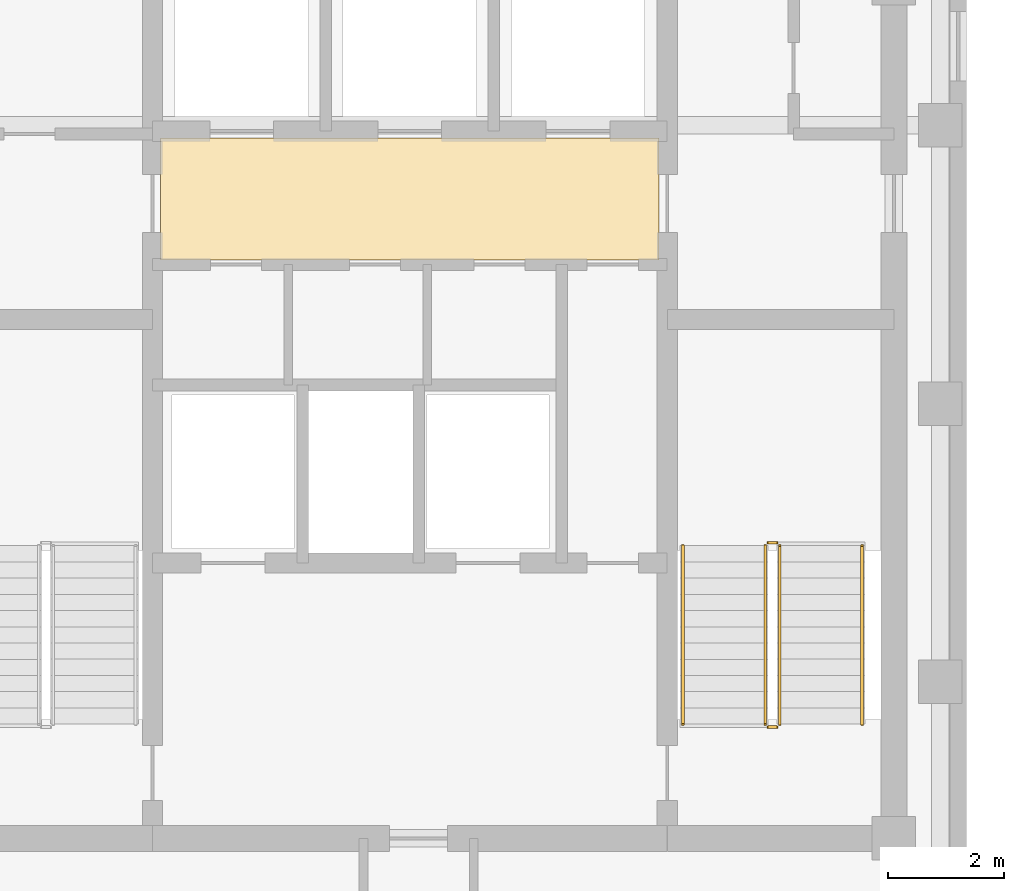
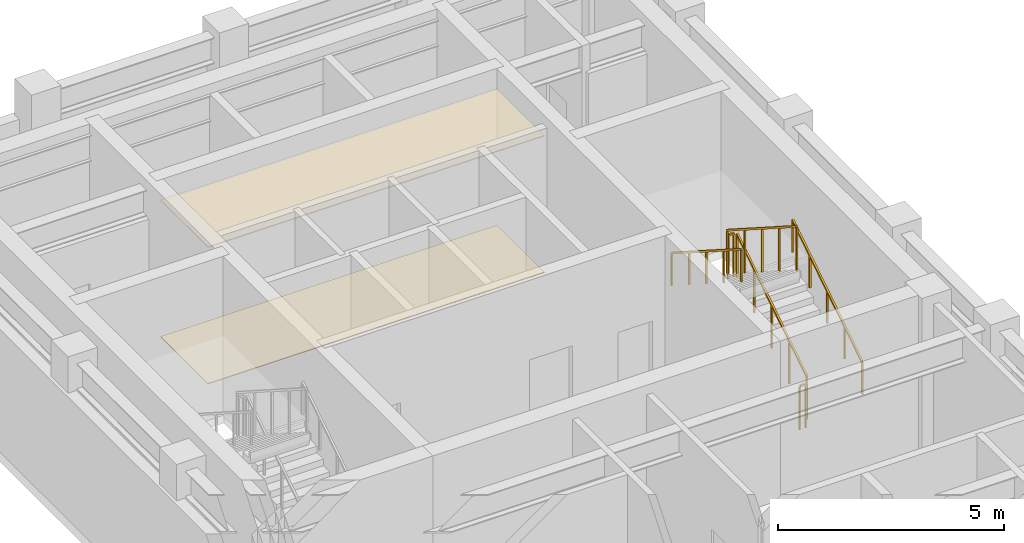
# One storey, part 7 of 7: 6 railings, 2 coverings.
"""IFC4 building model written with IfcOpenShell, lengths in metres."""

from ifc_helpers import new_model, si_unit, direction, frame, origin, origin_2d, place, context, subcontext, project, spatial, polyline, rectangle, outline, extrude, material, layer, layer_set, type_object, element, save


model = new_model("IFC4")

# Units and contexts
model_context = context("Model", 3, precision=1e-05, world=origin(), true_north=direction((0.0, 1.0)))
body_context = subcontext(model_context, "Body", "Model", "MODEL_VIEW")
ifc_project = project(units=[si_unit("LENGTHUNIT", "METRE"), si_unit("AREAUNIT", "SQUARE_METRE"), si_unit("VOLUMEUNIT", "CUBIC_METRE"), si_unit("PLANEANGLEUNIT", "RADIAN"), si_unit("MASSUNIT", "GRAM", prefix="KILO")], contexts=[model_context])

# Site, building, storey
site_placement = place(None, origin())
site = spatial("IfcSite", under=ifc_project, at=site_placement, CompositionType="ELEMENT")
building_placement = place(site_placement, origin())
building = spatial("IfcBuilding", under=site, at=building_placement, Name="Orvandelia Arch Residences", CompositionType="ELEMENT")
storey_placement = place(building_placement, frame((0.0, 0.0, 269.89990234375)))
storey = spatial("IfcBuildingStorey", under=building, at=storey_placement, Name="L70", CompositionType="ELEMENT", Elevation=269.89990234375)

# Coverings
ifc_material_1 = material(Name="Perforated Acoustic Mineral-Fibre Ceiling")
ifc_layer_1 = layer(ifc_material_1, 0.02490234375, Name="Perforated Acoustic Mineral-Fibre Ceiling")
ifc_layer_set_1 = layer_set([ifc_layer_1], Name="Perforated Acoustic Mineral-Fibre Ceiling")
covering_type_1 = type_object("IfcCoveringType", Name="COV-CEIL-ACOUSTIC", PredefinedType="CEILING", material=ifc_layer_set_1)
covering_1_placement = place(storey_placement, frame((0.0, 0.0, 3.690185546875)))
element("IfcCovering", 1, at=covering_1_placement, inside=storey, type_object=covering_type_1, Name="Lift Hall Suspended Acoustic Ceiling L70", PredefinedType="CEILING", context=body_context, shape_type="SweptSolid", body=[
    extrude(outline(polyline([(10.10009765625, 40.8798828125), (18.699951171875, 40.8798828125), (18.699951171875, 42.97998046875), (10.10009765625, 42.97998046875), (10.10009765625, 40.8798828125)])), origin(), (0.0, 0.0, 1.0), 0.02490234375),
])
ifc_material_2 = material(Name="Engineered Oak Flooring")
ifc_layer_2 = layer(ifc_material_2, 0.02001953125, Name="Engineered Oak Flooring")
ifc_layer_set_2 = layer_set([ifc_layer_2], Name="Engineered Oak Flooring")
covering_type_2 = type_object("IfcCoveringType", Name="COV-FLOOR-TIMBER", PredefinedType="FLOORING", material=ifc_layer_set_2)
covering_2_placement = place(storey_placement, origin())
element("IfcCovering", 2, at=covering_2_placement, inside=storey, type_object=covering_type_2, Name="Lift Hall Finish Flooring L70", PredefinedType="FLOORING", context=body_context, shape_type="SweptSolid", body=[
    extrude(outline(polyline([(10.10009765625, 40.8798828125), (18.699951171875, 40.8798828125), (18.699951171875, 42.97998046875), (10.10009765625, 42.97998046875), (10.10009765625, 40.8798828125)])), origin(), (0.0, 0.0, 1.0), 0.02001953125),
])

# Railings
ifc_material_3 = material(Name="Brushed Stainless Steel 304", Category="steel")
railing_type_1 = type_object("IfcRailingType", Name="RL-STAIR-GD1120", PredefinedType="GUARDRAIL", material=ifc_material_3)
railing_1_placement = place(storey_placement, frame((20.780029296875, 32.8701171875, 0.17919921875)))
element("IfcRailing", 3, at=railing_1_placement, inside=storey, type_object=railing_type_1, Name="L70 ST-2 stair guard 1", PredefinedType="GUARDRAIL", context=body_context, shape_type="SweptSolid", body=[
    extrude(rectangle(XDim=0.048095703125, YDim=0.048095703125, at=origin_2d()), frame((0.0, 0.0, 1.17578125), z_axis=(0.0, 0.842289589211, 0.539025275759), x_axis=(-1.0, 0.0, 0.0)), (0.0, 0.0, 1.0), 3.656494140625),
    extrude(rectangle(XDim=0.0419921875, YDim=0.0419921875, at=origin_2d()), origin(), (0.0, 0.0, 1.0), 1.15185546875),
    extrude(rectangle(XDim=0.0419921875, YDim=0.0419921875, at=origin_2d()), frame((0.0, 0.77001953125, 0.49267578125)), (0.0, 0.0, 1.0), 1.15185546875),
    extrude(rectangle(XDim=0.0419921875, YDim=0.0419921875, at=origin_2d()), frame((0.0, 1.5400390625, 0.9853515625)), (0.0, 0.0, 1.0), 1.15185546875),
    extrude(rectangle(XDim=0.0419921875, YDim=0.0419921875, at=origin_2d()), frame((0.0, 2.309814453125, 1.478271484375)), (0.0, 0.0, 1.0), 1.15185546875),
    extrude(rectangle(XDim=0.0419921875, YDim=0.0419921875, at=origin_2d()), frame((0.0, 3.079833984375, 1.970947265625)), (0.0, 0.0, 1.0), 1.15185546875),
])
railing_2_placement = place(storey_placement, frame((20.72998046875, 36.0, 2.150146484375)))
element("IfcRailing", 4, at=railing_2_placement, inside=storey, type_object=railing_type_1, Name="L70 ST-2 stair guard 2", PredefinedType="GUARDRAIL", context=body_context, shape_type="SweptSolid", body=[
    extrude(rectangle(XDim=0.048095703125, YDim=0.048095703125, at=origin_2d()), frame((0.0, 0.0, 1.17578125), z_axis=(-1.0, 0.0, 0.0), x_axis=(0.0, -1.0, 0.0)), (0.0, 0.0, 1.0), 0.14990234375),
    extrude(rectangle(XDim=0.0419921875, YDim=0.0419921875, at=origin_2d()), origin(), (0.0, 0.0, 1.0), 1.15185546875),
    extrude(rectangle(XDim=0.0419921875, YDim=0.0419921875, at=origin_2d()), frame((-0.14990234375, 0.0, 0.0)), (0.0, 0.0, 1.0), 1.15185546875),
])
railing_3_placement = place(storey_placement, frame((20.530029296875, 35.949951171875, 2.329345703125)))
element("IfcRailing", 5, at=railing_3_placement, inside=storey, type_object=railing_type_1, Name="L70 ST-2 stair guard 3", PredefinedType="GUARDRAIL", context=body_context, shape_type="SweptSolid", body=[
    extrude(rectangle(XDim=0.048095703125, YDim=0.048095703125, at=origin_2d()), frame((0.0, 0.0, 1.17578125), z_axis=(0.0, -0.842319903074, 0.538977903893), x_axis=(1.0, 0.0, 0.0)), (0.0, 0.0, 1.0), 3.65625),
    extrude(rectangle(XDim=0.0419921875, YDim=0.0419921875, at=origin_2d()), origin(), (0.0, 0.0, 1.0), 1.15185546875),
    extrude(rectangle(XDim=0.0419921875, YDim=0.0419921875, at=origin_2d()), frame((0.0, -0.77001953125, 0.49267578125)), (0.0, 0.0, 1.0), 1.15185546875),
    extrude(rectangle(XDim=0.0419921875, YDim=0.0419921875, at=origin_2d()), frame((0.0, -1.5400390625, 0.9853515625)), (0.0, 0.0, 1.0), 1.15185546875),
    extrude(rectangle(XDim=0.0419921875, YDim=0.0419921875, at=origin_2d()), frame((0.0, -2.309814453125, 1.47802734375)), (0.0, 0.0, 1.0), 1.15185546875),
    extrude(rectangle(XDim=0.0419921875, YDim=0.0419921875, at=origin_2d()), frame((0.0, -3.079833984375, 1.970703125)), (0.0, 0.0, 1.0), 1.15185546875),
])
railing_4_placement = place(storey_placement, frame((20.72998046875, 32.820068359375, 0.0)))
element("IfcRailing", 6, at=railing_4_placement, inside=storey, type_object=railing_type_1, Name="L70 ST-2 stair guard 4", PredefinedType="GUARDRAIL", context=body_context, shape_type="SweptSolid", body=[
    extrude(rectangle(XDim=0.048095703125, YDim=0.048095703125, at=origin_2d()), frame((0.0, 0.0, 1.17578125), z_axis=(-1.0, 0.0, 0.0), x_axis=(0.0, -1.0, 0.0)), (0.0, 0.0, 1.0), 0.14990234375),
    extrude(rectangle(XDim=0.0419921875, YDim=0.0419921875, at=origin_2d()), origin(), (0.0, 0.0, 1.0), 1.15185546875),
    extrude(rectangle(XDim=0.0419921875, YDim=0.0419921875, at=origin_2d()), frame((-0.14990234375, 0.0, 0.0)), (0.0, 0.0, 1.0), 1.15185546875),
])
railing_type_2 = type_object("IfcRailingType", Name="RL-STAIR-HR920", PredefinedType="HANDRAIL", material=ifc_material_3)
railing_5_placement = place(storey_placement, frame((22.199951171875, 32.8701171875, 0.3583984375)))
element("IfcRailing", 7, at=railing_5_placement, inside=storey, type_object=railing_type_2, Name="L70 ST-2 stair handrail 1", PredefinedType="HANDRAIL", context=body_context, shape_type="SweptSolid", body=[
    extrude(rectangle(XDim=0.048095703125, YDim=0.048095703125, at=origin_2d()), frame((0.0, 0.0, 0.8759765625), z_axis=(0.0, 0.842289589211, 0.539025275759), x_axis=(-1.0, 0.0, 0.0)), (0.0, 0.0, 1.0), 3.656494140625),
    extrude(rectangle(XDim=0.0419921875, YDim=0.0419921875, at=origin_2d()), origin(), (0.0, 0.0, 1.0), 0.851806640625),
    extrude(rectangle(XDim=0.0419921875, YDim=0.0419921875, at=origin_2d()), frame((0.0, 0.77001953125, 0.49267578125)), (0.0, 0.0, 1.0), 0.851806640625),
    extrude(rectangle(XDim=0.0419921875, YDim=0.0419921875, at=origin_2d()), frame((0.0, 1.5400390625, 0.9853515625)), (0.0, 0.0, 1.0), 0.851806640625),
    extrude(rectangle(XDim=0.0419921875, YDim=0.0419921875, at=origin_2d()), frame((0.0, 2.309814453125, 1.478271484375)), (0.0, 0.0, 1.0), 0.851806640625),
    extrude(rectangle(XDim=0.0419921875, YDim=0.0419921875, at=origin_2d()), frame((0.0, 3.079833984375, 1.970947265625)), (0.0, 0.0, 1.0), 0.851806640625),
])
railing_6_placement = place(storey_placement, frame((19.110107421875, 35.949951171875, 2.508544921875)))
element("IfcRailing", 8, at=railing_6_placement, inside=storey, type_object=railing_type_2, Name="L70 ST-2 stair handrail 2", PredefinedType="HANDRAIL", context=body_context, shape_type="SweptSolid", body=[
    extrude(rectangle(XDim=0.048095703125, YDim=0.048095703125, at=origin_2d()), frame((0.0, 0.0, 0.8759765625), z_axis=(0.0, -0.842319903074, 0.538977903893), x_axis=(1.0, 0.0, 0.0)), (0.0, 0.0, 1.0), 3.65625),
    extrude(rectangle(XDim=0.0419921875, YDim=0.0419921875, at=origin_2d()), origin(), (0.0, 0.0, 1.0), 0.851806640625),
    extrude(rectangle(XDim=0.0419921875, YDim=0.0419921875, at=origin_2d()), frame((0.0, -0.77001953125, 0.49267578125)), (0.0, 0.0, 1.0), 0.851806640625),
    extrude(rectangle(XDim=0.0419921875, YDim=0.0419921875, at=origin_2d()), frame((0.0, -1.5400390625, 0.9853515625)), (0.0, 0.0, 1.0), 0.851806640625),
    extrude(rectangle(XDim=0.0419921875, YDim=0.0419921875, at=origin_2d()), frame((0.0, -2.309814453125, 1.47802734375)), (0.0, 0.0, 1.0), 0.851806640625),
    extrude(rectangle(XDim=0.0419921875, YDim=0.0419921875, at=origin_2d()), frame((0.0, -3.079833984375, 1.970703125)), (0.0, 0.0, 1.0), 0.851806640625),
])

save(model, "model.ifc")
